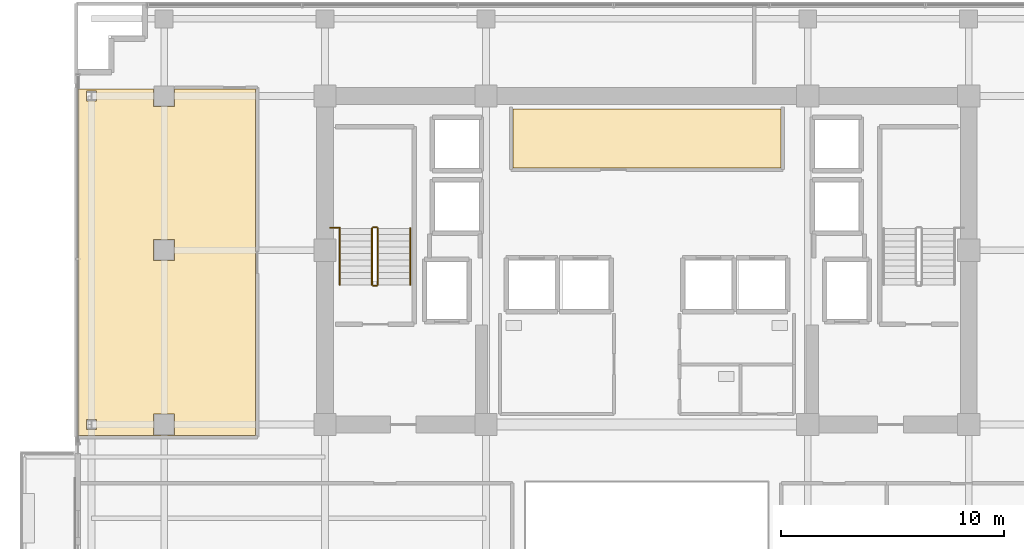
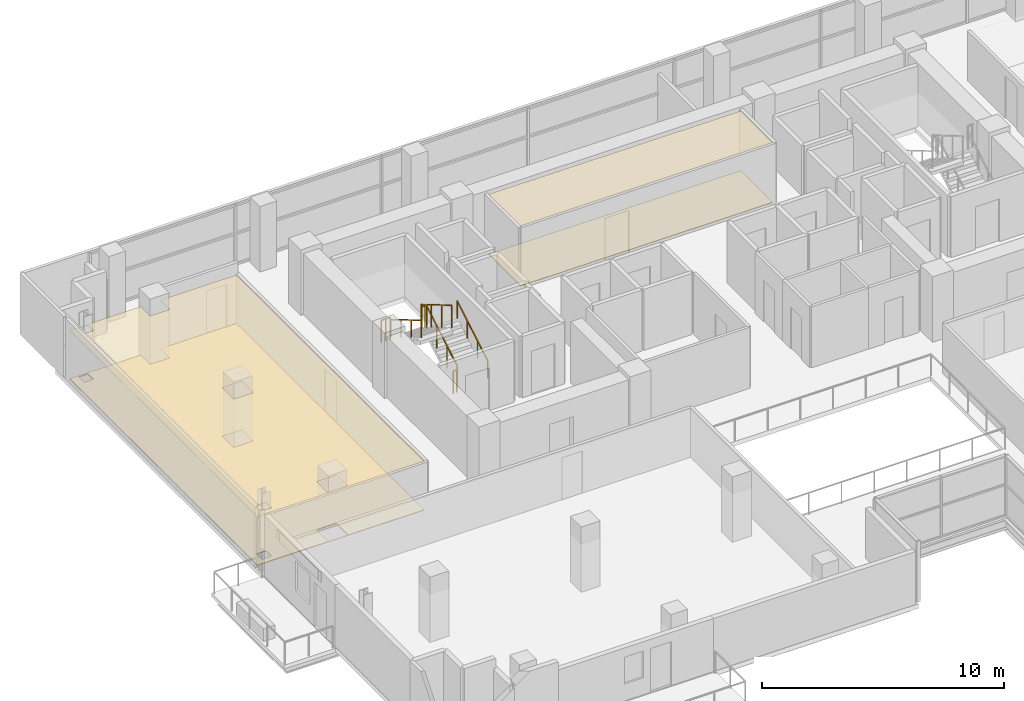
# One storey, part 20 of 23: 7 railings, 4 coverings.
"""IFC4 building model written with IfcOpenShell, lengths in metres."""

import ifcopenshell
import ifcopenshell.guid

model = None  # the IFC model being written
_history = None  # IfcOwnerHistory: only IFC2X3 demands one
_inside = {}  # id of a spatial element -> (the spatial element, [elements in it])
_under = {}  # id of a project, library or spatial element -> (it, [spatial elements below it])
_declared = {}  # id of a project -> (the project, [libraries it declares])
_typed = {}  # id of a type object -> (the type object, [elements of that type])
_made_of = {}  # id of a material, layer set ... -> (it, [elements and type objects made of it])


def new_model(schema):
    """Start an empty IFC model of exactly this schema.

    Asked for "IFC4X3", IfcOpenShell would pick the latest addendum, in which some entities
    have other attributes; the version numbers below select the first issue.
    IFC2X3 requires an IfcOwnerHistory on every rooted entity: one is made here for all.
    """
    global model, _history
    if schema == "IFC4X3":
        model = ifcopenshell.file(schema_version=(4, 3, 0, 0))
    else:
        model = ifcopenshell.file(schema=schema)
    _inside.clear()
    _under.clear()
    _declared.clear()
    _typed.clear()
    _made_of.clear()
    _history = None
    if model.schema == "IFC2X3":
        org = make("IfcOrganization", Name="unknown")
        user = make(
            "IfcPersonAndOrganization",
            ThePerson=make("IfcPerson", FamilyName="unknown"),
            TheOrganization=org,
        )
        app = make(
            "IfcApplication",
            ApplicationDeveloper=org,
            Version="unknown",
            ApplicationFullName="unknown",
            ApplicationIdentifier="unknown",
        )
        _history = make(
            "IfcOwnerHistory",
            OwningUser=user,
            OwningApplication=app,
            ChangeAction="ADDED",
            CreationDate=0,
        )
    return model


def make(cls, **values):
    """One entity of the class cls with the attributes given. An attribute that is None is left unset."""
    return model.create_entity(
        cls, **{name: value for name, value in values.items() if value is not None}
    )


def rooted(cls, **values):
    """An entity with a GlobalId (a new one), such as an element, a storey or a relation."""
    return make(cls, GlobalId=ifcopenshell.guid.new(), OwnerHistory=_history, **values)


def si_unit(unit_type, name, prefix=None):
    """IfcSIUnit, for example si_unit("LENGTHUNIT", "METRE", prefix="MILLI")."""
    return make("IfcSIUnit", UnitType=unit_type, Prefix=prefix, Name=name)


def assignment(units):
    """IfcUnitAssignment: the units of a project."""
    return None if units is None else make("IfcUnitAssignment", Units=units)


def point(xyz):
    """IfcCartesianPoint."""
    return None if xyz is None else make("IfcCartesianPoint", Coordinates=xyz)


def direction(xyz):
    """IfcDirection."""
    return None if xyz is None else make("IfcDirection", DirectionRatios=xyz)


def frame(location, z_axis=None, x_axis=None):
    """IfcAxis2Placement3D, a coordinate frame: its origin and axes. An axis left out is left unset."""
    return make(
        "IfcAxis2Placement3D",
        Location=point(location),
        Axis=direction(z_axis),
        RefDirection=direction(x_axis),
    )


def frame_2d(location, x_axis=None):
    """IfcAxis2Placement2D, a coordinate frame in the plane: its origin and x axis."""
    return make(
        "IfcAxis2Placement2D", Location=point(location), RefDirection=direction(x_axis)
    )


def origin():
    """The frame at (0, 0, 0) with its axes left unset."""
    return frame((0.0, 0.0, 0.0))


def origin_2d():
    """The frame at (0, 0) in the plane with its x axis left unset."""
    return frame_2d((0.0, 0.0))


def place(relative_to, where):
    """IfcLocalPlacement: puts the frame where relative to a parent placement (None: the world)."""
    return make(
        "IfcLocalPlacement", PlacementRelTo=relative_to, RelativePlacement=where
    )


def context(
    kind, dimensions, precision=None, world=None, true_north=None, identifier=None
):
    """IfcGeometricRepresentationContext, for example the 3D "Model" context."""
    return make(
        "IfcGeometricRepresentationContext",
        ContextIdentifier=identifier,
        ContextType=kind,
        CoordinateSpaceDimension=dimensions,
        Precision=precision,
        WorldCoordinateSystem=world,
        TrueNorth=true_north,
    )


def subcontext(parent, identifier, kind, view, scale=None):
    """IfcGeometricRepresentationSubContext, for example "Body" below "Model"."""
    return make(
        "IfcGeometricRepresentationSubContext",
        ContextIdentifier=identifier,
        ContextType=kind,
        ParentContext=parent,
        TargetScale=scale,
        TargetView=view,
    )


def project(units=None, contexts=None):
    """IfcProject with its units and contexts."""
    return rooted(
        "IfcProject",
        Name="project",
        RepresentationContexts=contexts,
        UnitsInContext=assignment(units),
    )


def spatial(cls, under=None, at=None, **own):
    """A site, building, storey or space (cls), placed at a placement, below another one or the project."""
    s = rooted(cls, ObjectPlacement=at, **own)
    if under is not None:
        _under.setdefault(under.id(), (under, []))[1].append(s)
    return s


def polyline(points):
    """IfcPolyline through the points."""
    return make("IfcPolyline", Points=[point(p) for p in points])


def profile(cls, at=None, kind="AREA", **sizes):
    """A parametric profile (cls). Its sizes go by their IFC names, for example OverallWidth=200.0."""
    return make(cls, ProfileType=kind, Position=at, **sizes)


def rectangle(**sizes):
    """IfcRectangleProfileDef."""
    return profile("IfcRectangleProfileDef", **sizes)


def outline(outer, holes=None, kind="AREA"):
    """IfcArbitraryClosedProfileDef: a profile drawn as a closed curve; with holes, ...WithVoids."""
    if holes is None:
        return make("IfcArbitraryClosedProfileDef", ProfileType=kind, OuterCurve=outer)
    return make(
        "IfcArbitraryProfileDefWithVoids",
        ProfileType=kind,
        OuterCurve=outer,
        InnerCurves=holes,
    )


def extrude(swept, where, along, depth):
    """IfcExtrudedAreaSolid: the profile swept, set in the frame where, extruded along a direction by depth."""
    return make(
        "IfcExtrudedAreaSolid",
        SweptArea=swept,
        Position=where,
        ExtrudedDirection=direction(along),
        Depth=depth,
    )


def shape(context_of_items, identifier, shape_type, items):
    """IfcShapeRepresentation: the items that make up one representation, for example the "Body"."""
    return make(
        "IfcShapeRepresentation",
        ContextOfItems=context_of_items,
        RepresentationIdentifier=identifier,
        RepresentationType=shape_type,
        Items=items,
    )


def material(Name=None, Category=None):
    """IfcMaterial."""
    return make("IfcMaterial", Name=Name, Category=Category)


def layer(
    of_material, thickness, ventilated=None, Name=None, Category=None, Priority=None
):
    """IfcMaterialLayer: one layer of a wall or slab, of a material (None: an air gap)."""
    return make(
        "IfcMaterialLayer",
        Material=of_material,
        LayerThickness=thickness,
        IsVentilated=ventilated,
        Name=Name,
        Category=Category,
        Priority=Priority,
    )


def layer_set(layers, Name=None):
    """IfcMaterialLayerSet."""
    return make("IfcMaterialLayerSet", MaterialLayers=layers, LayerSetName=Name)


def made_of(thing, what):
    """Note that an element or type object is made of a material, layer set ...; save() writes the relation."""
    if what is not None:
        _made_of.setdefault(what.id(), (what, []))[1].append(thing)
    return thing


def type_object(cls, material=None, **own):
    """A type object (cls), such as IfcWallType, which elements share."""
    return made_of(rooted(cls, **own), material)


def element(
    cls,
    number,
    at=None,
    inside=None,
    cuts=None,
    type_object=None,
    material=None,
    context=None,
    identifier="Body",
    shape_type=None,
    held_by="IfcProductDefinitionShape",
    body=None,
    shapes=None,
    **own,
):
    """One element of the class cls, such as IfcWall. Its Tag is "e" and its number.

    at: its placement. inside: the storey or other place that contains it. cuts: it is an
    opening in that element (IfcRelVoidsElement). A single representation is given by context,
    identifier, shape_type and body (its items); several are given by shapes. held_by: the class
    of the entity that holds the representations. save() writes the other relations.
    """
    e = rooted(cls, Tag="e%d" % number, ObjectPlacement=at, **own)
    if body is not None:
        shapes = [shape(context, identifier, shape_type, body)]
    if shapes is not None:
        e.Representation = make(held_by, Representations=shapes)
    if inside is not None:
        _inside.setdefault(inside.id(), (inside, []))[1].append(e)
    if cuts is not None:
        rooted(
            "IfcRelVoidsElement", RelatingBuildingElement=cuts, RelatedOpeningElement=e
        )
    if type_object is not None:
        _typed.setdefault(type_object.id(), (type_object, []))[1].append(e)
    return made_of(e, material)


def aggregate(whole, parts):
    """IfcRelAggregates: a whole, such as a stair, and the parts it consists of."""
    return rooted("IfcRelAggregates", RelatingObject=whole, RelatedObjects=parts)


def save(model, path):
    """Write the relations noted so far, then the file.

    IfcRelAggregates (storeys below a building ...), IfcRelContainedInSpatialStructure (elements
    in a storey), IfcRelDefinesByType, IfcRelAssociatesMaterial and IfcRelDeclares: one each for
    every whole, place, type object, material and project.
    """
    for whole, parts in _under.values():
        aggregate(whole, parts)
    for where, things in _inside.values():
        rooted(
            "IfcRelContainedInSpatialStructure",
            RelatedElements=things,
            RelatingStructure=where,
        )
    for kind, things in _typed.values():
        rooted("IfcRelDefinesByType", RelatedObjects=things, RelatingType=kind)
    for what, things in _made_of.values():
        rooted("IfcRelAssociatesMaterial", RelatedObjects=things, RelatingMaterial=what)
    for by, libraries in _declared.values():
        rooted("IfcRelDeclares", RelatingContext=by, RelatedDefinitions=libraries)
    model.write(path)


model = new_model("IFC4")

# Units and contexts
model_context = context("Model", 3, precision=1e-05, world=origin(), true_north=direction((0.0, 1.0)))
body_context = subcontext(model_context, "Body", "Model", "MODEL_VIEW")
ifc_project = project(units=[si_unit("LENGTHUNIT", "METRE"), si_unit("AREAUNIT", "SQUARE_METRE"), si_unit("VOLUMEUNIT", "CUBIC_METRE"), si_unit("PLANEANGLEUNIT", "RADIAN"), si_unit("MASSUNIT", "GRAM", prefix="KILO")], contexts=[model_context])

# Site, building, storey
site_placement = place(None, origin())
site = spatial("IfcSite", under=ifc_project, at=site_placement, CompositionType="ELEMENT")
building_placement = place(site_placement, origin())
building = spatial("IfcBuilding", under=site, at=building_placement, Name="Zarnakvel Exchange Tower", CompositionType="ELEMENT")
storey_placement = place(building_placement, frame((0.0, 0.0, 123.10009765625)))
storey = spatial("IfcBuildingStorey", under=building, at=storey_placement, Name="L34", CompositionType="ELEMENT", Elevation=123.10009765625)

# Coverings
ifc_material_1 = material(Name="Perforated Bronze Acoustic Metal Ceiling", Category="aluminium")
ifc_layer_1 = layer(ifc_material_1, 0.02001953125)
ifc_layer_set_1 = layer_set([ifc_layer_1], Name="Perforated Bronze Acoustic Metal Ceiling")
covering_type_1 = type_object("IfcCoveringType", Name="CLG-01", PredefinedType="CEILING", material=ifc_layer_set_1)
covering_1_placement = place(storey_placement, frame((0.0, 0.0, 3.014892578125)))
element("IfcCovering", 1, at=covering_1_placement, inside=storey, type_object=covering_type_1, Name="L34 Suspended Acoustic Ceiling (Market Data Archive Suite)", PredefinedType="CEILING", context=body_context, shape_type="SweptSolid", body=[
    extrude(outline(polyline([(-6.0, 12.919921875), (6.0, 12.919921875), (6.0, 10.280029296875), (-6.0, 10.280029296875), (-6.0, 12.919921875)])), origin(), (0.0, 0.0, 1.0), 0.02001953125),
])
covering_2_placement = place(storey_placement, frame((0.0, 0.0, 2.454833984375)))
element("IfcCovering", 2, at=covering_2_placement, inside=storey, type_object=covering_type_1, Name="L34 Suspended Acoustic Ceiling (Executive Office)", PredefinedType="CEILING", context=body_context, shape_type="SweptSolid", body=[
    extrude(outline(polyline([(-25.449951171875, 13.800048828125), (-22.070068359375, 13.800048828125), (-22.070068359375, 13.030029296875), (-21.1298828125, 13.030029296875), (-21.1298828125, 13.800048828125), (-17.510009765625, 13.800048828125), (-17.510009765625, -1.68994140625), (-25.449951171875, -1.68994140625), (-25.449951171875, 13.800048828125)]), holes=[polyline([(-21.1298828125, 6.1298828125), (-21.1298828125, 7.070068359375), (-22.070068359375, 7.070068359375), (-22.070068359375, 6.1298828125), (-21.1298828125, 6.1298828125)]), polyline([(-21.1298828125, -1.669921875), (-21.1298828125, -0.72998046875), (-22.070068359375, -0.72998046875), (-22.070068359375, -1.669921875), (-21.1298828125, -1.669921875)]), polyline([(-24.6279296875, 13.276611328125), (-24.6279296875, 13.723388671875), (-25.072021484375, 13.723388671875), (-25.072021484375, 13.276611328125), (-24.6279296875, 13.276611328125)]), polyline([(-24.6279296875, -1.423583984375), (-24.6279296875, -0.9765625), (-25.072021484375, -0.9765625), (-25.072021484375, -1.423583984375), (-24.6279296875, -1.423583984375)])]), origin(), (0.0, 0.0, 1.0), 0.02001953125),
])
ifc_material_2 = material(Name="Heavy-Duty Raised Access Floor Panel", Category="steel")
ifc_layer_2 = layer(ifc_material_2, 0.034912109375)
ifc_layer_set_2 = layer_set([ifc_layer_2], Name="Heavy-Duty Raised Access Floor Panel")
covering_type_2 = type_object("IfcCoveringType", Name="FLR-02", PredefinedType="FLOORING", material=ifc_layer_set_2)
covering_3_placement = place(storey_placement, origin())
element("IfcCovering", 3, at=covering_3_placement, inside=storey, type_object=covering_type_2, Name="L34 Floor Finish (Market Data Archive Suite)", PredefinedType="FLOORING", context=body_context, shape_type="SweptSolid", body=[
    extrude(outline(polyline([(-6.0, 12.919921875), (6.0, 12.919921875), (6.0, 10.280029296875), (-6.0, 10.280029296875), (-6.0, 12.919921875)])), origin(), (0.0, 0.0, 1.0), 0.034912109375),
])
covering_4_placement = place(storey_placement, origin())
element("IfcCovering", 4, at=covering_4_placement, inside=storey, type_object=covering_type_2, Name="L34 Floor Finish (Executive Office)", PredefinedType="FLOORING", context=body_context, shape_type="SweptSolid", body=[
    extrude(outline(polyline([(-25.449951171875, 13.800048828125), (-22.070068359375, 13.800048828125), (-22.070068359375, 13.030029296875), (-21.1298828125, 13.030029296875), (-21.1298828125, 13.800048828125), (-17.510009765625, 13.800048828125), (-17.510009765625, -1.68994140625), (-25.449951171875, -1.68994140625), (-25.449951171875, 13.800048828125)]), holes=[polyline([(-21.1298828125, 6.1298828125), (-21.1298828125, 7.070068359375), (-22.070068359375, 7.070068359375), (-22.070068359375, 6.1298828125), (-21.1298828125, 6.1298828125)]), polyline([(-21.1298828125, -1.669921875), (-21.1298828125, -0.72998046875), (-22.070068359375, -0.72998046875), (-22.070068359375, -1.669921875), (-21.1298828125, -1.669921875)]), polyline([(-24.6279296875, 13.276611328125), (-24.6279296875, 13.723388671875), (-25.072021484375, 13.723388671875), (-25.072021484375, 13.276611328125), (-24.6279296875, 13.276611328125)]), polyline([(-24.6279296875, -1.423583984375), (-24.6279296875, -0.9765625), (-25.072021484375, -0.9765625), (-25.072021484375, -1.423583984375), (-24.6279296875, -1.423583984375)])]), origin(), (0.0, 0.0, 1.0), 0.034912109375),
])

# Railings
ifc_material_3 = material(Name="Brushed Stainless Steel", Category="steel")
railing_type_1 = type_object("IfcRailingType", Name="HR-01", PredefinedType="HANDRAIL", material=ifc_material_3)
railing_1_placement = place(storey_placement, frame((-10.590087890625, 5.050048828125, 0.164794921875)))
element("IfcRailing", 5, at=railing_1_placement, inside=storey, type_object=railing_type_1, Name="L34 ST-01 stair handrail 1", PredefinedType="HANDRAIL", context=body_context, shape_type="SweptSolid", body=[
    extrude(rectangle(XDim=0.048095703125, YDim=0.048095703125, at=origin_2d()), frame((0.0, 0.0, 0.8759765625), z_axis=(0.0, 0.86152411907, 0.507716645641), x_axis=(-1.0, 0.0, 0.0)), (0.0, 0.0, 1.0), 2.925048828125),
    extrude(rectangle(XDim=0.0419921875, YDim=0.0419921875, at=origin_2d()), origin(), (0.0, 0.0, 1.0), 0.851806640625),
    extrude(rectangle(XDim=0.0419921875, YDim=0.0419921875, at=origin_2d()), frame((0.0, 0.840087890625, 0.4951171875)), (0.0, 0.0, 1.0), 0.851806640625),
    extrude(rectangle(XDim=0.0419921875, YDim=0.0419921875, at=origin_2d()), frame((0.0, 1.679931640625, 0.989990234375)), (0.0, 0.0, 1.0), 0.851806640625),
    extrude(rectangle(XDim=0.0419921875, YDim=0.0419921875, at=origin_2d()), frame((0.0, 2.52001953125, 1.485107421875)), (0.0, 0.0, 1.0), 0.851806640625),
])
railing_2_placement = place(storey_placement, frame((-13.75, 7.570068359375, 1.81494140625)))
element("IfcRailing", 6, at=railing_2_placement, inside=storey, type_object=railing_type_1, Name="L34 ST-01 stair handrail 2", PredefinedType="HANDRAIL", context=body_context, shape_type="SweptSolid", body=[
    extrude(rectangle(XDim=0.048095703125, YDim=0.048095703125, at=origin_2d()), frame((0.0, 0.0, 0.8759765625), z_axis=(0.0, -0.861560626758, 0.507654692109), x_axis=(1.0, 0.0, 0.0)), (0.0, 0.0, 1.0), 2.925048828125),
    extrude(rectangle(XDim=0.0419921875, YDim=0.0419921875, at=origin_2d()), origin(), (0.0, 0.0, 1.0), 0.851806640625),
    extrude(rectangle(XDim=0.0419921875, YDim=0.0419921875, at=origin_2d()), frame((0.0, -0.840087890625, 0.494873046875)), (0.0, 0.0, 1.0), 0.851806640625),
    extrude(rectangle(XDim=0.0419921875, YDim=0.0419921875, at=origin_2d()), frame((0.0, -1.679931640625, 0.989990234375)), (0.0, 0.0, 1.0), 0.851806640625),
    extrude(rectangle(XDim=0.0419921875, YDim=0.0419921875, at=origin_2d()), frame((0.0, -2.52001953125, 1.48486328125)), (0.0, 0.0, 1.0), 0.851806640625),
])
ifc_material_4 = material(Name="Architectural Bronze Anodised Aluminium", Category="aluminium")
railing_type_2 = type_object("IfcRailingType", Name="SG-01", PredefinedType="GUARDRAIL", material=ifc_material_4)
railing_3_placement = place(storey_placement, frame((-12.0400390625, 5.050048828125, 0.164794921875)))
element("IfcRailing", 7, at=railing_3_placement, inside=storey, type_object=railing_type_2, Name="L34 ST-01 stair guard 1", PredefinedType="GUARDRAIL", context=body_context, shape_type="SweptSolid", body=[
    extrude(rectangle(XDim=0.048095703125, YDim=0.048095703125, at=origin_2d()), frame((0.0, 0.0, 1.1259765625), z_axis=(0.0, 0.86152411907, 0.507716645641), x_axis=(-1.0, 0.0, 0.0)), (0.0, 0.0, 1.0), 2.925048828125),
    extrude(rectangle(XDim=0.0419921875, YDim=0.0419921875, at=origin_2d()), origin(), (0.0, 0.0, 1.0), 1.101806640625),
    extrude(rectangle(XDim=0.0419921875, YDim=0.0419921875, at=origin_2d()), frame((0.0, 0.840087890625, 0.4951171875)), (0.0, 0.0, 1.0), 1.101806640625),
    extrude(rectangle(XDim=0.0419921875, YDim=0.0419921875, at=origin_2d()), frame((0.0, 1.679931640625, 0.989990234375)), (0.0, 0.0, 1.0), 1.101806640625),
    extrude(rectangle(XDim=0.0419921875, YDim=0.0419921875, at=origin_2d()), frame((0.0, 2.52001953125, 1.485107421875)), (0.0, 0.0, 1.0), 1.101806640625),
])
railing_4_placement = place(storey_placement, frame((-12.090087890625, 7.6201171875, 1.64990234375)))
element("IfcRailing", 8, at=railing_4_placement, inside=storey, type_object=railing_type_2, Name="L34 ST-01 stair guard 2", PredefinedType="GUARDRAIL", context=body_context, shape_type="SweptSolid", body=[
    extrude(rectangle(XDim=0.048095703125, YDim=0.048095703125, at=origin_2d()), frame((0.0, 0.0, 1.1259765625), z_axis=(-1.0, 0.0, 0.0), x_axis=(0.0, -1.0, 0.0)), (0.0, 0.0, 1.0), 0.159912109375),
    extrude(rectangle(XDim=0.0419921875, YDim=0.0419921875, at=origin_2d()), origin(), (0.0, 0.0, 1.0), 1.101806640625),
    extrude(rectangle(XDim=0.0419921875, YDim=0.0419921875, at=origin_2d()), frame((-0.159912109375, 0.0, 0.0)), (0.0, 0.0, 1.0), 1.101806640625),
])
railing_5_placement = place(storey_placement, frame((-12.300048828125, 7.570068359375, 1.81494140625)))
element("IfcRailing", 9, at=railing_5_placement, inside=storey, type_object=railing_type_2, Name="L34 ST-01 stair guard 3", PredefinedType="GUARDRAIL", context=body_context, shape_type="SweptSolid", body=[
    extrude(rectangle(XDim=0.048095703125, YDim=0.048095703125, at=origin_2d()), frame((0.0, 0.0, 1.1259765625), z_axis=(0.0, -0.861560626758, 0.507654692109), x_axis=(1.0, 0.0, 0.0)), (0.0, 0.0, 1.0), 2.925048828125),
    extrude(rectangle(XDim=0.0419921875, YDim=0.0419921875, at=origin_2d()), origin(), (0.0, 0.0, 1.0), 1.101806640625),
    extrude(rectangle(XDim=0.0419921875, YDim=0.0419921875, at=origin_2d()), frame((0.0, -0.840087890625, 0.494873046875)), (0.0, 0.0, 1.0), 1.101806640625),
    extrude(rectangle(XDim=0.0419921875, YDim=0.0419921875, at=origin_2d()), frame((0.0, -1.679931640625, 0.989990234375)), (0.0, 0.0, 1.0), 1.101806640625),
    extrude(rectangle(XDim=0.0419921875, YDim=0.0419921875, at=origin_2d()), frame((0.0, -2.52001953125, 1.48486328125)), (0.0, 0.0, 1.0), 1.101806640625),
])
railing_6_placement = place(storey_placement, frame((-12.090087890625, 5.0, 0.0)))
element("IfcRailing", 10, at=railing_6_placement, inside=storey, type_object=railing_type_2, Name="L34 ST-01 stair guard 4", PredefinedType="GUARDRAIL", context=body_context, shape_type="SweptSolid", body=[
    extrude(rectangle(XDim=0.048095703125, YDim=0.048095703125, at=origin_2d()), frame((0.0, 0.0, 1.1259765625), z_axis=(-1.0, 0.0, 0.0), x_axis=(0.0, -1.0, 0.0)), (0.0, 0.0, 1.0), 0.159912109375),
    extrude(rectangle(XDim=0.0419921875, YDim=0.0419921875, at=origin_2d()), origin(), (0.0, 0.0, 1.0), 1.101806640625),
    extrude(rectangle(XDim=0.0419921875, YDim=0.0419921875, at=origin_2d()), frame((-0.159912109375, 0.0, 0.0)), (0.0, 0.0, 1.0), 1.101806640625),
])
railing_7_placement = place(storey_placement, frame((-14.179931640625, 7.610107421875, 1.64990234375)))
element("IfcRailing", 11, at=railing_7_placement, inside=storey, type_object=railing_type_2, Name="L34 ST-01 Landing Slot Guardrail", PredefinedType="GUARDRAIL", context=body_context, shape_type="SweptSolid", body=[
    extrude(rectangle(XDim=0.048095703125, YDim=0.048095703125, at=origin_2d()), frame((0.0, 0.0, 1.1259765625), z_axis=(1.0, 0.0, 0.0), x_axis=(0.0, 1.0, 0.0)), (0.0, 0.0, 1.0), 0.429931640625),
    extrude(rectangle(XDim=0.0419921875, YDim=0.0419921875, at=origin_2d()), origin(), (0.0, 0.0, 1.0), 1.101806640625),
    extrude(rectangle(XDim=0.0419921875, YDim=0.0419921875, at=origin_2d()), frame((0.21484375, 0.0, 0.0)), (0.0, 0.0, 1.0), 1.101806640625),
    extrude(rectangle(XDim=0.0419921875, YDim=0.0419921875, at=origin_2d()), frame((0.429931640625, 0.0, 0.0)), (0.0, 0.0, 1.0), 1.101806640625),
])

save(model, "model.ifc")
